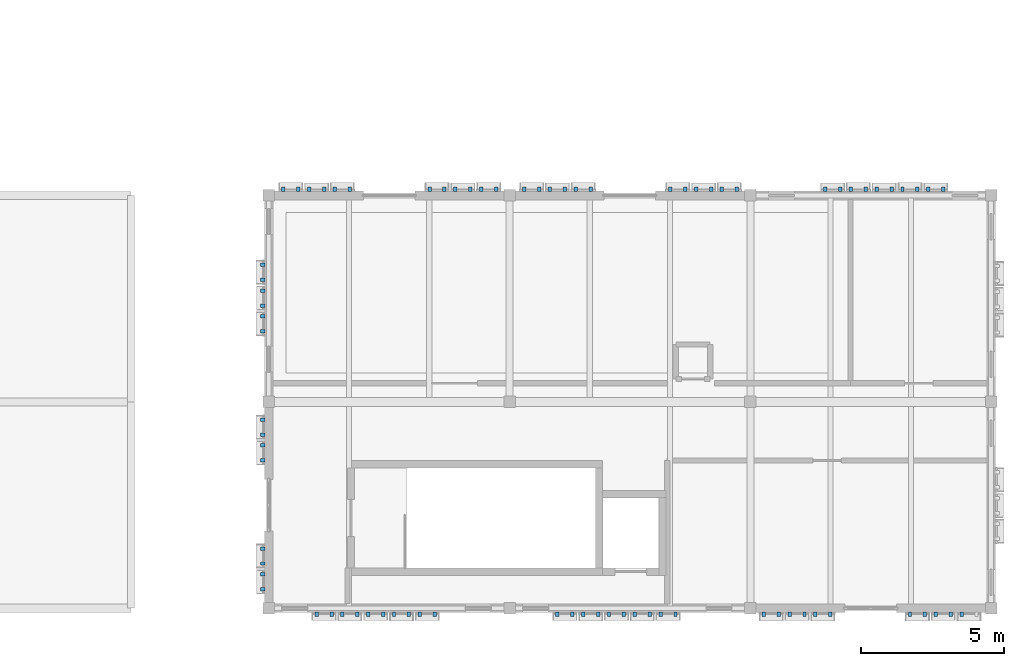
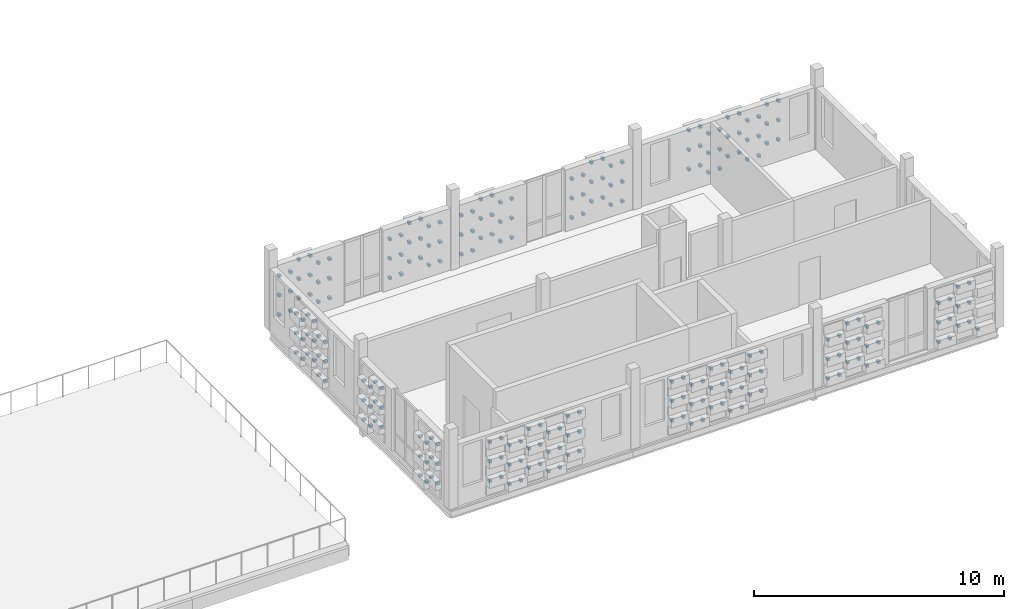
# One storey, part 50 of 57: 235 discrete accessories.
"""IFC4 building model written with IfcOpenShell, lengths in metres."""

from ifc_helpers import new_model, si_unit, direction, frame, origin, origin_2d, place, context, subcontext, project, spatial, rectangle, extrude, material, type_object, element, save


model = new_model("IFC4")

# Units and contexts
model_context = context("Model", 3, precision=1e-05, world=origin(), true_north=direction((0.0, 1.0)))
body_context = subcontext(model_context, "Body", "Model", "MODEL_VIEW")
ifc_project = project(units=[si_unit("LENGTHUNIT", "METRE"), si_unit("AREAUNIT", "SQUARE_METRE"), si_unit("VOLUMEUNIT", "CUBIC_METRE"), si_unit("PLANEANGLEUNIT", "RADIAN"), si_unit("MASSUNIT", "GRAM", prefix="KILO")], contexts=[model_context])

# Site, building, storey
site_placement = place(None, origin())
site = spatial("IfcSite", under=ifc_project, at=site_placement, CompositionType="ELEMENT")
building_placement = place(site_placement, origin())
building = spatial("IfcBuilding", under=site, at=building_placement, Name="Kahlenmark Community Centre", CompositionType="ELEMENT")
storey_placement = place(building_placement, frame((0.0, 0.0, 13.800048828125)))
storey = spatial("IfcBuildingStorey", under=building, at=storey_placement, Name="L03", CompositionType="ELEMENT", Elevation=13.800048828125)

# Discrete accessories
ifc_material = material(Name="Stainless steel 1.4401 rainscreen bracket", Category="steel")
discrete_accessory_type = type_object("IfcDiscreteAccessoryType", Name="DAT-BRACKET-TC", PredefinedType="BRACKET", material=ifc_material)
for number, where, z_axis, x_axis, name in (
    (1, (93.27001953125, 8.590087890625, 0.732421875), (0.0, 0.0, 1.0), (1.0, 0.0, 0.0), "Terracotta cassette bracket 4197.1"),
    (2, (93.7900390625, 8.590087890625, 0.732421875), (0.0, 0.0, 1.0), (1.0, 0.0, 0.0), "Terracotta cassette bracket 4197.2"),
    (3, (93.27001953125, 8.590087890625, 1.682373046875), (0.0, 0.0, 1.0), (1.0, 0.0, 0.0), "Terracotta cassette bracket 4199.1"),
    (4, (93.7900390625, 8.590087890625, 1.682373046875), (0.0, 0.0, 1.0), (1.0, 0.0, 0.0), "Terracotta cassette bracket 4199.2"),
    (5, (93.27001953125, 8.590087890625, 2.63232421875), (0.0, 0.0, 1.0), (1.0, 0.0, 0.0), "Terracotta cassette bracket 4201.1"),
    (6, (93.7900390625, 8.590087890625, 2.63232421875), (0.0, 0.0, 1.0), (1.0, 0.0, 0.0), "Terracotta cassette bracket 4201.2"),
    (7, (94.169921875, 8.590087890625, 0.25732421875), (0.0, 0.0, 1.0), (1.0, 0.0, 0.0), "Terracotta cassette bracket 4202.1"),
    (8, (94.68994140625, 8.590087890625, 0.25732421875), (0.0, 0.0, 1.0), (1.0, 0.0, 0.0), "Terracotta cassette bracket 4202.2"),
    (9, (94.169921875, 8.590087890625, 1.207275390625), (0.0, 0.0, 1.0), (1.0, 0.0, 0.0), "Terracotta cassette bracket 4204.1"),
    (10, (94.68994140625, 8.590087890625, 1.207275390625), (0.0, 0.0, 1.0), (1.0, 0.0, 0.0), "Terracotta cassette bracket 4204.2"),
    (11, (94.169921875, 8.590087890625, 2.157470703125), (0.0, 0.0, 1.0), (1.0, 0.0, 0.0), "Terracotta cassette bracket 4206.1"),
    (12, (94.68994140625, 8.590087890625, 2.157470703125), (0.0, 0.0, 1.0), (1.0, 0.0, 0.0), "Terracotta cassette bracket 4206.2"),
    (13, (95.070068359375, 8.590087890625, 0.732421875), (0.0, 0.0, 1.0), (1.0, 0.0, 0.0), "Terracotta cassette bracket 4209.1"),
    (14, (95.590087890625, 8.590087890625, 0.732421875), (0.0, 0.0, 1.0), (1.0, 0.0, 0.0), "Terracotta cassette bracket 4209.2"),
    (15, (95.070068359375, 8.590087890625, 1.682373046875), (0.0, 0.0, 1.0), (1.0, 0.0, 0.0), "Terracotta cassette bracket 4211.1"),
    (16, (95.590087890625, 8.590087890625, 1.682373046875), (0.0, 0.0, 1.0), (1.0, 0.0, 0.0), "Terracotta cassette bracket 4211.2"),
    (17, (95.070068359375, 8.590087890625, 2.63232421875), (0.0, 0.0, 1.0), (1.0, 0.0, 0.0), "Terracotta cassette bracket 4213.1"),
    (18, (95.590087890625, 8.590087890625, 2.63232421875), (0.0, 0.0, 1.0), (1.0, 0.0, 0.0), "Terracotta cassette bracket 4213.2"),
    (19, (95.969970703125, 8.590087890625, 0.25732421875), (0.0, 0.0, 1.0), (1.0, 0.0, 0.0), "Terracotta cassette bracket 4214.1"),
    (20, (96.489990234375, 8.590087890625, 0.25732421875), (0.0, 0.0, 1.0), (1.0, 0.0, 0.0), "Terracotta cassette bracket 4214.2"),
    (21, (95.969970703125, 8.590087890625, 1.207275390625), (0.0, 0.0, 1.0), (1.0, 0.0, 0.0), "Terracotta cassette bracket 4216.1"),
    (22, (96.489990234375, 8.590087890625, 1.207275390625), (0.0, 0.0, 1.0), (1.0, 0.0, 0.0), "Terracotta cassette bracket 4216.2"),
    (23, (95.969970703125, 8.590087890625, 2.157470703125), (0.0, 0.0, 1.0), (1.0, 0.0, 0.0), "Terracotta cassette bracket 4218.1"),
    (24, (96.489990234375, 8.590087890625, 2.157470703125), (0.0, 0.0, 1.0), (1.0, 0.0, 0.0), "Terracotta cassette bracket 4218.2"),
    (25, (96.8701171875, 8.590087890625, 0.732421875), (0.0, 0.0, 1.0), (1.0, 0.0, 0.0), "Terracotta cassette bracket 4221.1"),
    (26, (97.389892578125, 8.590087890625, 0.732421875), (0.0, 0.0, 1.0), (1.0, 0.0, 0.0), "Terracotta cassette bracket 4221.2"),
    (27, (96.8701171875, 8.590087890625, 1.682373046875), (0.0, 0.0, 1.0), (1.0, 0.0, 0.0), "Terracotta cassette bracket 4223.1"),
    (28, (97.389892578125, 8.590087890625, 1.682373046875), (0.0, 0.0, 1.0), (1.0, 0.0, 0.0), "Terracotta cassette bracket 4223.2"),
    (29, (96.8701171875, 8.590087890625, 2.63232421875), (0.0, 0.0, 1.0), (1.0, 0.0, 0.0), "Terracotta cassette bracket 4225.1"),
    (30, (97.389892578125, 8.590087890625, 2.63232421875), (0.0, 0.0, 1.0), (1.0, 0.0, 0.0), "Terracotta cassette bracket 4225.2"),
    (31, (101.669921875, 8.590087890625, 0.732421875), (0.0, 0.0, 1.0), (1.0, 0.0, 0.0), "Terracotta cassette bracket 4227.1"),
    (32, (102.18994140625, 8.590087890625, 0.732421875), (0.0, 0.0, 1.0), (1.0, 0.0, 0.0), "Terracotta cassette bracket 4227.2"),
    (33, (101.669921875, 8.590087890625, 1.682373046875), (0.0, 0.0, 1.0), (1.0, 0.0, 0.0), "Terracotta cassette bracket 4229.1"),
    (34, (102.18994140625, 8.590087890625, 1.682373046875), (0.0, 0.0, 1.0), (1.0, 0.0, 0.0), "Terracotta cassette bracket 4229.2"),
    (35, (101.669921875, 8.590087890625, 2.63232421875), (0.0, 0.0, 1.0), (1.0, 0.0, 0.0), "Terracotta cassette bracket 4231.1"),
    (36, (102.18994140625, 8.590087890625, 2.63232421875), (0.0, 0.0, 1.0), (1.0, 0.0, 0.0), "Terracotta cassette bracket 4231.2"),
    (37, (102.570068359375, 8.590087890625, 0.25732421875), (0.0, 0.0, 1.0), (1.0, 0.0, 0.0), "Terracotta cassette bracket 4232.1"),
    (38, (103.090087890625, 8.590087890625, 0.25732421875), (0.0, 0.0, 1.0), (1.0, 0.0, 0.0), "Terracotta cassette bracket 4232.2"),
    (39, (102.570068359375, 8.590087890625, 1.207275390625), (0.0, 0.0, 1.0), (1.0, 0.0, 0.0), "Terracotta cassette bracket 4234.1"),
    (40, (103.090087890625, 8.590087890625, 1.207275390625), (0.0, 0.0, 1.0), (1.0, 0.0, 0.0), "Terracotta cassette bracket 4234.2"),
    (41, (102.570068359375, 8.590087890625, 2.157470703125), (0.0, 0.0, 1.0), (1.0, 0.0, 0.0), "Terracotta cassette bracket 4236.1"),
    (42, (103.090087890625, 8.590087890625, 2.157470703125), (0.0, 0.0, 1.0), (1.0, 0.0, 0.0), "Terracotta cassette bracket 4236.2"),
    (43, (103.469970703125, 8.590087890625, 0.732421875), (0.0, 0.0, 1.0), (1.0, 0.0, 0.0), "Terracotta cassette bracket 4239.1"),
    (44, (103.989990234375, 8.590087890625, 0.732421875), (0.0, 0.0, 1.0), (1.0, 0.0, 0.0), "Terracotta cassette bracket 4239.2"),
    (45, (103.469970703125, 8.590087890625, 1.682373046875), (0.0, 0.0, 1.0), (1.0, 0.0, 0.0), "Terracotta cassette bracket 4241.1"),
    (46, (103.989990234375, 8.590087890625, 1.682373046875), (0.0, 0.0, 1.0), (1.0, 0.0, 0.0), "Terracotta cassette bracket 4241.2"),
    (47, (103.469970703125, 8.590087890625, 2.63232421875), (0.0, 0.0, 1.0), (1.0, 0.0, 0.0), "Terracotta cassette bracket 4243.1"),
    (48, (103.989990234375, 8.590087890625, 2.63232421875), (0.0, 0.0, 1.0), (1.0, 0.0, 0.0), "Terracotta cassette bracket 4243.2"),
    (49, (104.3701171875, 8.590087890625, 0.25732421875), (0.0, 0.0, 1.0), (1.0, 0.0, 0.0), "Terracotta cassette bracket 4244.1"),
    (50, (104.889892578125, 8.590087890625, 0.25732421875), (0.0, 0.0, 1.0), (1.0, 0.0, 0.0), "Terracotta cassette bracket 4244.2"),
    (51, (104.3701171875, 8.590087890625, 1.207275390625), (0.0, 0.0, 1.0), (1.0, 0.0, 0.0), "Terracotta cassette bracket 4246.1"),
    (52, (104.889892578125, 8.590087890625, 1.207275390625), (0.0, 0.0, 1.0), (1.0, 0.0, 0.0), "Terracotta cassette bracket 4246.2"),
    (53, (104.3701171875, 8.590087890625, 2.157470703125), (0.0, 0.0, 1.0), (1.0, 0.0, 0.0), "Terracotta cassette bracket 4248.1"),
    (54, (104.889892578125, 8.590087890625, 2.157470703125), (0.0, 0.0, 1.0), (1.0, 0.0, 0.0), "Terracotta cassette bracket 4248.2"),
    (55, (105.27001953125, 8.590087890625, 0.732421875), (0.0, 0.0, 1.0), (1.0, 0.0, 0.0), "Terracotta cassette bracket 4251.1"),
    (56, (105.7900390625, 8.590087890625, 0.732421875), (0.0, 0.0, 1.0), (1.0, 0.0, 0.0), "Terracotta cassette bracket 4251.2"),
    (57, (105.27001953125, 8.590087890625, 1.682373046875), (0.0, 0.0, 1.0), (1.0, 0.0, 0.0), "Terracotta cassette bracket 4253.1"),
    (58, (105.7900390625, 8.590087890625, 1.682373046875), (0.0, 0.0, 1.0), (1.0, 0.0, 0.0), "Terracotta cassette bracket 4253.2"),
    (59, (105.27001953125, 8.590087890625, 2.63232421875), (0.0, 0.0, 1.0), (1.0, 0.0, 0.0), "Terracotta cassette bracket 4255.1"),
    (60, (105.7900390625, 8.590087890625, 2.63232421875), (0.0, 0.0, 1.0), (1.0, 0.0, 0.0), "Terracotta cassette bracket 4255.2"),
    (61, (108.8701171875, 8.590087890625, 0.25732421875), (0.0, 0.0, 1.0), (1.0, 0.0, 0.0), "Terracotta cassette bracket 4256.1"),
    (62, (109.389892578125, 8.590087890625, 0.25732421875), (0.0, 0.0, 1.0), (1.0, 0.0, 0.0), "Terracotta cassette bracket 4256.2"),
    (63, (108.8701171875, 8.590087890625, 1.207275390625), (0.0, 0.0, 1.0), (1.0, 0.0, 0.0), "Terracotta cassette bracket 4258.1"),
    (64, (109.389892578125, 8.590087890625, 1.207275390625), (0.0, 0.0, 1.0), (1.0, 0.0, 0.0), "Terracotta cassette bracket 4258.2"),
    (65, (108.8701171875, 8.590087890625, 2.157470703125), (0.0, 0.0, 1.0), (1.0, 0.0, 0.0), "Terracotta cassette bracket 4260.1"),
    (66, (109.389892578125, 8.590087890625, 2.157470703125), (0.0, 0.0, 1.0), (1.0, 0.0, 0.0), "Terracotta cassette bracket 4260.2"),
    (67, (109.77001953125, 8.590087890625, 0.732421875), (0.0, 0.0, 1.0), (1.0, 0.0, 0.0), "Terracotta cassette bracket 4263.1"),
    (68, (110.2900390625, 8.590087890625, 0.732421875), (0.0, 0.0, 1.0), (1.0, 0.0, 0.0), "Terracotta cassette bracket 4263.2"),
    (69, (109.77001953125, 8.590087890625, 1.682373046875), (0.0, 0.0, 1.0), (1.0, 0.0, 0.0), "Terracotta cassette bracket 4265.1"),
    (70, (110.2900390625, 8.590087890625, 1.682373046875), (0.0, 0.0, 1.0), (1.0, 0.0, 0.0), "Terracotta cassette bracket 4265.2"),
    (71, (109.77001953125, 8.590087890625, 2.63232421875), (0.0, 0.0, 1.0), (1.0, 0.0, 0.0), "Terracotta cassette bracket 4267.1"),
    (72, (110.2900390625, 8.590087890625, 2.63232421875), (0.0, 0.0, 1.0), (1.0, 0.0, 0.0), "Terracotta cassette bracket 4267.2"),
    (73, (110.669921875, 8.590087890625, 0.25732421875), (0.0, 0.0, 1.0), (1.0, 0.0, 0.0), "Terracotta cassette bracket 4268.1"),
    (74, (111.18994140625, 8.590087890625, 0.25732421875), (0.0, 0.0, 1.0), (1.0, 0.0, 0.0), "Terracotta cassette bracket 4268.2"),
    (75, (110.669921875, 8.590087890625, 1.207275390625), (0.0, 0.0, 1.0), (1.0, 0.0, 0.0), "Terracotta cassette bracket 4270.1"),
    (76, (111.18994140625, 8.590087890625, 1.207275390625), (0.0, 0.0, 1.0), (1.0, 0.0, 0.0), "Terracotta cassette bracket 4270.2"),
    (77, (110.669921875, 8.590087890625, 2.157470703125), (0.0, 0.0, 1.0), (1.0, 0.0, 0.0), "Terracotta cassette bracket 4272.1"),
    (78, (111.18994140625, 8.590087890625, 2.157470703125), (0.0, 0.0, 1.0), (1.0, 0.0, 0.0), "Terracotta cassette bracket 4272.2"),
    (79, (113.969970703125, 8.590087890625, 0.25732421875), (0.0, 0.0, 1.0), (1.0, 0.0, 0.0), "Terracotta cassette bracket 4274.1"),
    (80, (114.489990234375, 8.590087890625, 0.25732421875), (0.0, 0.0, 1.0), (1.0, 0.0, 0.0), "Terracotta cassette bracket 4274.2"),
    (81, (113.969970703125, 8.590087890625, 1.207275390625), (0.0, 0.0, 1.0), (1.0, 0.0, 0.0), "Terracotta cassette bracket 4276.1"),
    (82, (114.489990234375, 8.590087890625, 1.207275390625), (0.0, 0.0, 1.0), (1.0, 0.0, 0.0), "Terracotta cassette bracket 4276.2"),
    (83, (113.969970703125, 8.590087890625, 2.157470703125), (0.0, 0.0, 1.0), (1.0, 0.0, 0.0), "Terracotta cassette bracket 4278.1"),
    (84, (114.489990234375, 8.590087890625, 2.157470703125), (0.0, 0.0, 1.0), (1.0, 0.0, 0.0), "Terracotta cassette bracket 4278.2"),
    (85, (114.8701171875, 8.590087890625, 0.732421875), (0.0, 0.0, 1.0), (1.0, 0.0, 0.0), "Terracotta cassette bracket 4281.1"),
    (86, (115.389892578125, 8.590087890625, 0.732421875), (0.0, 0.0, 1.0), (1.0, 0.0, 0.0), "Terracotta cassette bracket 4281.2"),
    (87, (114.8701171875, 8.590087890625, 1.682373046875), (0.0, 0.0, 1.0), (1.0, 0.0, 0.0), "Terracotta cassette bracket 4283.1"),
    (88, (115.389892578125, 8.590087890625, 1.682373046875), (0.0, 0.0, 1.0), (1.0, 0.0, 0.0), "Terracotta cassette bracket 4283.2"),
    (89, (114.8701171875, 8.590087890625, 2.63232421875), (0.0, 0.0, 1.0), (1.0, 0.0, 0.0), "Terracotta cassette bracket 4285.1"),
    (90, (115.389892578125, 8.590087890625, 2.63232421875), (0.0, 0.0, 1.0), (1.0, 0.0, 0.0), "Terracotta cassette bracket 4285.2"),
    (91, (115.77001953125, 8.590087890625, 0.25732421875), (0.0, 0.0, 1.0), (1.0, 0.0, 0.0), "Terracotta cassette bracket 4286.1"),
    (92, (99.530029296875, 23.409912109375, 0.25732421875), (0.0, 0.0, 1.0), (-1.0, 0.0, 0.0), "Terracotta cassette bracket 4292.1"),
    (93, (99.010009765625, 23.409912109375, 0.25732421875), (0.0, 0.0, 1.0), (-1.0, 0.0, 0.0), "Terracotta cassette bracket 4292.2"),
    (94, (99.530029296875, 23.409912109375, 1.207275390625), (0.0, 0.0, 1.0), (-1.0, 0.0, 0.0), "Terracotta cassette bracket 4294.1"),
    (95, (99.010009765625, 23.409912109375, 1.207275390625), (0.0, 0.0, 1.0), (-1.0, 0.0, 0.0), "Terracotta cassette bracket 4294.2"),
    (96, (99.530029296875, 23.409912109375, 2.157470703125), (0.0, 0.0, 1.0), (-1.0, 0.0, 0.0), "Terracotta cassette bracket 4296.1"),
    (97, (99.010009765625, 23.409912109375, 2.157470703125), (0.0, 0.0, 1.0), (-1.0, 0.0, 0.0), "Terracotta cassette bracket 4296.2"),
    (98, (98.6298828125, 23.409912109375, 0.732421875), (0.0, 0.0, 1.0), (-1.0, 0.0, 0.0), "Terracotta cassette bracket 4299.1"),
    (99, (98.110107421875, 23.409912109375, 0.732421875), (0.0, 0.0, 1.0), (-1.0, 0.0, 0.0), "Terracotta cassette bracket 4299.2"),
    (100, (98.6298828125, 23.409912109375, 1.682373046875), (0.0, 0.0, 1.0), (-1.0, 0.0, 0.0), "Terracotta cassette bracket 4301.1"),
    (101, (98.110107421875, 23.409912109375, 1.682373046875), (0.0, 0.0, 1.0), (-1.0, 0.0, 0.0), "Terracotta cassette bracket 4301.2"),
    (102, (98.6298828125, 23.409912109375, 2.63232421875), (0.0, 0.0, 1.0), (-1.0, 0.0, 0.0), "Terracotta cassette bracket 4303.1"),
    (103, (98.110107421875, 23.409912109375, 2.63232421875), (0.0, 0.0, 1.0), (-1.0, 0.0, 0.0), "Terracotta cassette bracket 4303.2"),
    (104, (97.72998046875, 23.409912109375, 0.25732421875), (0.0, 0.0, 1.0), (-1.0, 0.0, 0.0), "Terracotta cassette bracket 4304.1"),
    (105, (97.2099609375, 23.409912109375, 0.25732421875), (0.0, 0.0, 1.0), (-1.0, 0.0, 0.0), "Terracotta cassette bracket 4304.2"),
    (106, (97.72998046875, 23.409912109375, 1.207275390625), (0.0, 0.0, 1.0), (-1.0, 0.0, 0.0), "Terracotta cassette bracket 4306.1"),
    (107, (97.2099609375, 23.409912109375, 1.207275390625), (0.0, 0.0, 1.0), (-1.0, 0.0, 0.0), "Terracotta cassette bracket 4306.2"),
    (108, (97.72998046875, 23.409912109375, 2.157470703125), (0.0, 0.0, 1.0), (-1.0, 0.0, 0.0), "Terracotta cassette bracket 4308.1"),
    (109, (97.2099609375, 23.409912109375, 2.157470703125), (0.0, 0.0, 1.0), (-1.0, 0.0, 0.0), "Terracotta cassette bracket 4308.2"),
    (110, (94.429931640625, 23.409912109375, 0.25732421875), (0.0, 0.0, 1.0), (-1.0, 0.0, 0.0), "Terracotta cassette bracket 4310.1"),
    (111, (93.909912109375, 23.409912109375, 0.25732421875), (0.0, 0.0, 1.0), (-1.0, 0.0, 0.0), "Terracotta cassette bracket 4310.2"),
    (112, (94.429931640625, 23.409912109375, 1.207275390625), (0.0, 0.0, 1.0), (-1.0, 0.0, 0.0), "Terracotta cassette bracket 4312.1"),
    (113, (93.909912109375, 23.409912109375, 1.207275390625), (0.0, 0.0, 1.0), (-1.0, 0.0, 0.0), "Terracotta cassette bracket 4312.2"),
    (114, (94.429931640625, 23.409912109375, 2.157470703125), (0.0, 0.0, 1.0), (-1.0, 0.0, 0.0), "Terracotta cassette bracket 4314.1"),
    (115, (93.909912109375, 23.409912109375, 2.157470703125), (0.0, 0.0, 1.0), (-1.0, 0.0, 0.0), "Terracotta cassette bracket 4314.2"),
    (116, (93.530029296875, 23.409912109375, 0.732421875), (0.0, 0.0, 1.0), (-1.0, 0.0, 0.0), "Terracotta cassette bracket 4317.1"),
    (117, (93.010009765625, 23.409912109375, 0.732421875), (0.0, 0.0, 1.0), (-1.0, 0.0, 0.0), "Terracotta cassette bracket 4317.2"),
    (118, (93.530029296875, 23.409912109375, 1.682373046875), (0.0, 0.0, 1.0), (-1.0, 0.0, 0.0), "Terracotta cassette bracket 4319.1"),
    (119, (93.010009765625, 23.409912109375, 1.682373046875), (0.0, 0.0, 1.0), (-1.0, 0.0, 0.0), "Terracotta cassette bracket 4319.2"),
    (120, (93.530029296875, 23.409912109375, 2.63232421875), (0.0, 0.0, 1.0), (-1.0, 0.0, 0.0), "Terracotta cassette bracket 4321.1"),
    (121, (93.010009765625, 23.409912109375, 2.63232421875), (0.0, 0.0, 1.0), (-1.0, 0.0, 0.0), "Terracotta cassette bracket 4321.2"),
    (122, (92.6298828125, 23.409912109375, 0.25732421875), (0.0, 0.0, 1.0), (-1.0, 0.0, 0.0), "Terracotta cassette bracket 4322.1"),
    (123, (92.110107421875, 23.409912109375, 0.25732421875), (0.0, 0.0, 1.0), (-1.0, 0.0, 0.0), "Terracotta cassette bracket 4322.2"),
    (124, (92.6298828125, 23.409912109375, 1.207275390625), (0.0, 0.0, 1.0), (-1.0, 0.0, 0.0), "Terracotta cassette bracket 4324.1"),
    (125, (92.110107421875, 23.409912109375, 1.207275390625), (0.0, 0.0, 1.0), (-1.0, 0.0, 0.0), "Terracotta cassette bracket 4324.2"),
    (126, (92.6298828125, 23.409912109375, 2.157470703125), (0.0, 0.0, 1.0), (-1.0, 0.0, 0.0), "Terracotta cassette bracket 4326.1"),
    (127, (92.110107421875, 23.409912109375, 2.157470703125), (0.0, 0.0, 1.0), (-1.0, 0.0, 0.0), "Terracotta cassette bracket 4326.2"),
    (128, (107.929931640625, 23.409912109375, 0.25732421875), (0.0, 0.0, 1.0), (-1.0, 0.0, 0.0), "Terracotta cassette bracket 4328.1"),
    (129, (107.409912109375, 23.409912109375, 0.25732421875), (0.0, 0.0, 1.0), (-1.0, 0.0, 0.0), "Terracotta cassette bracket 4328.2"),
    (130, (107.929931640625, 23.409912109375, 1.207275390625), (0.0, 0.0, 1.0), (-1.0, 0.0, 0.0), "Terracotta cassette bracket 4330.1"),
    (131, (107.409912109375, 23.409912109375, 1.207275390625), (0.0, 0.0, 1.0), (-1.0, 0.0, 0.0), "Terracotta cassette bracket 4330.2"),
    (132, (107.929931640625, 23.409912109375, 2.157470703125), (0.0, 0.0, 1.0), (-1.0, 0.0, 0.0), "Terracotta cassette bracket 4332.1"),
    (133, (107.409912109375, 23.409912109375, 2.157470703125), (0.0, 0.0, 1.0), (-1.0, 0.0, 0.0), "Terracotta cassette bracket 4332.2"),
    (134, (107.030029296875, 23.409912109375, 0.732421875), (0.0, 0.0, 1.0), (-1.0, 0.0, 0.0), "Terracotta cassette bracket 4335.1"),
    (135, (106.510009765625, 23.409912109375, 0.732421875), (0.0, 0.0, 1.0), (-1.0, 0.0, 0.0), "Terracotta cassette bracket 4335.2"),
    (136, (107.030029296875, 23.409912109375, 1.682373046875), (0.0, 0.0, 1.0), (-1.0, 0.0, 0.0), "Terracotta cassette bracket 4337.1"),
    (137, (106.510009765625, 23.409912109375, 1.682373046875), (0.0, 0.0, 1.0), (-1.0, 0.0, 0.0), "Terracotta cassette bracket 4337.2"),
    (138, (107.030029296875, 23.409912109375, 2.63232421875), (0.0, 0.0, 1.0), (-1.0, 0.0, 0.0), "Terracotta cassette bracket 4339.1"),
    (139, (106.510009765625, 23.409912109375, 2.63232421875), (0.0, 0.0, 1.0), (-1.0, 0.0, 0.0), "Terracotta cassette bracket 4339.2"),
    (140, (106.1298828125, 23.409912109375, 0.25732421875), (0.0, 0.0, 1.0), (-1.0, 0.0, 0.0), "Terracotta cassette bracket 4340.1"),
    (141, (105.610107421875, 23.409912109375, 0.25732421875), (0.0, 0.0, 1.0), (-1.0, 0.0, 0.0), "Terracotta cassette bracket 4340.2"),
    (142, (106.1298828125, 23.409912109375, 1.207275390625), (0.0, 0.0, 1.0), (-1.0, 0.0, 0.0), "Terracotta cassette bracket 4342.1"),
    (143, (105.610107421875, 23.409912109375, 1.207275390625), (0.0, 0.0, 1.0), (-1.0, 0.0, 0.0), "Terracotta cassette bracket 4342.2"),
    (144, (106.1298828125, 23.409912109375, 2.157470703125), (0.0, 0.0, 1.0), (-1.0, 0.0, 0.0), "Terracotta cassette bracket 4344.1"),
    (145, (105.610107421875, 23.409912109375, 2.157470703125), (0.0, 0.0, 1.0), (-1.0, 0.0, 0.0), "Terracotta cassette bracket 4344.2"),
    (146, (102.830078125, 23.409912109375, 0.25732421875), (0.0, 0.0, 1.0), (-1.0, 0.0, 0.0), "Terracotta cassette bracket 4346.1"),
    (147, (102.31005859375, 23.409912109375, 0.25732421875), (0.0, 0.0, 1.0), (-1.0, 0.0, 0.0), "Terracotta cassette bracket 4346.2"),
    (148, (102.830078125, 23.409912109375, 1.207275390625), (0.0, 0.0, 1.0), (-1.0, 0.0, 0.0), "Terracotta cassette bracket 4348.1"),
    (149, (102.31005859375, 23.409912109375, 1.207275390625), (0.0, 0.0, 1.0), (-1.0, 0.0, 0.0), "Terracotta cassette bracket 4348.2"),
    (150, (102.830078125, 23.409912109375, 2.157470703125), (0.0, 0.0, 1.0), (-1.0, 0.0, 0.0), "Terracotta cassette bracket 4350.1"),
    (151, (102.31005859375, 23.409912109375, 2.157470703125), (0.0, 0.0, 1.0), (-1.0, 0.0, 0.0), "Terracotta cassette bracket 4350.2"),
    (152, (101.929931640625, 23.409912109375, 0.732421875), (0.0, 0.0, 1.0), (-1.0, 0.0, 0.0), "Terracotta cassette bracket 4353.1"),
    (153, (101.409912109375, 23.409912109375, 0.732421875), (0.0, 0.0, 1.0), (-1.0, 0.0, 0.0), "Terracotta cassette bracket 4353.2"),
    (154, (101.929931640625, 23.409912109375, 1.682373046875), (0.0, 0.0, 1.0), (-1.0, 0.0, 0.0), "Terracotta cassette bracket 4355.1"),
    (155, (101.409912109375, 23.409912109375, 1.682373046875), (0.0, 0.0, 1.0), (-1.0, 0.0, 0.0), "Terracotta cassette bracket 4355.2"),
    (156, (101.929931640625, 23.409912109375, 2.63232421875), (0.0, 0.0, 1.0), (-1.0, 0.0, 0.0), "Terracotta cassette bracket 4357.1"),
    (157, (101.409912109375, 23.409912109375, 2.63232421875), (0.0, 0.0, 1.0), (-1.0, 0.0, 0.0), "Terracotta cassette bracket 4357.2"),
    (158, (101.030029296875, 23.409912109375, 0.25732421875), (0.0, 0.0, 1.0), (-1.0, 0.0, 0.0), "Terracotta cassette bracket 4358.1"),
    (159, (100.510009765625, 23.409912109375, 0.25732421875), (0.0, 0.0, 1.0), (-1.0, 0.0, 0.0), "Terracotta cassette bracket 4358.2"),
    (160, (101.030029296875, 23.409912109375, 1.207275390625), (0.0, 0.0, 1.0), (-1.0, 0.0, 0.0), "Terracotta cassette bracket 4360.1"),
    (161, (100.510009765625, 23.409912109375, 1.207275390625), (0.0, 0.0, 1.0), (-1.0, 0.0, 0.0), "Terracotta cassette bracket 4360.2"),
    (162, (101.030029296875, 23.409912109375, 2.157470703125), (0.0, 0.0, 1.0), (-1.0, 0.0, 0.0), "Terracotta cassette bracket 4362.1"),
    (163, (100.510009765625, 23.409912109375, 2.157470703125), (0.0, 0.0, 1.0), (-1.0, 0.0, 0.0), "Terracotta cassette bracket 4362.2"),
    (164, (115.1298828125, 23.409912109375, 0.732421875), (0.0, 0.0, 1.0), (-1.0, 0.0, 0.0), "Terracotta cassette bracket 4365.1"),
    (165, (114.610107421875, 23.409912109375, 0.732421875), (0.0, 0.0, 1.0), (-1.0, 0.0, 0.0), "Terracotta cassette bracket 4365.2"),
    (166, (115.1298828125, 23.409912109375, 1.682373046875), (0.0, 0.0, 1.0), (-1.0, 0.0, 0.0), "Terracotta cassette bracket 4367.1"),
    (167, (114.610107421875, 23.409912109375, 1.682373046875), (0.0, 0.0, 1.0), (-1.0, 0.0, 0.0), "Terracotta cassette bracket 4367.2"),
    (168, (115.1298828125, 23.409912109375, 2.63232421875), (0.0, 0.0, 1.0), (-1.0, 0.0, 0.0), "Terracotta cassette bracket 4369.1"),
    (169, (114.610107421875, 23.409912109375, 2.63232421875), (0.0, 0.0, 1.0), (-1.0, 0.0, 0.0), "Terracotta cassette bracket 4369.2"),
    (170, (114.22998046875, 23.409912109375, 0.25732421875), (0.0, 0.0, 1.0), (-1.0, 0.0, 0.0), "Terracotta cassette bracket 4370.1"),
    (171, (113.7099609375, 23.409912109375, 0.25732421875), (0.0, 0.0, 1.0), (-1.0, 0.0, 0.0), "Terracotta cassette bracket 4370.2"),
    (172, (114.22998046875, 23.409912109375, 1.207275390625), (0.0, 0.0, 1.0), (-1.0, 0.0, 0.0), "Terracotta cassette bracket 4372.1"),
    (173, (113.7099609375, 23.409912109375, 1.207275390625), (0.0, 0.0, 1.0), (-1.0, 0.0, 0.0), "Terracotta cassette bracket 4372.2"),
    (174, (114.22998046875, 23.409912109375, 2.157470703125), (0.0, 0.0, 1.0), (-1.0, 0.0, 0.0), "Terracotta cassette bracket 4374.1"),
    (175, (113.7099609375, 23.409912109375, 2.157470703125), (0.0, 0.0, 1.0), (-1.0, 0.0, 0.0), "Terracotta cassette bracket 4374.2"),
    (176, (113.330078125, 23.409912109375, 0.732421875), (0.0, 0.0, 1.0), (-1.0, 0.0, 0.0), "Terracotta cassette bracket 4377.1"),
    (177, (112.81005859375, 23.409912109375, 0.732421875), (0.0, 0.0, 1.0), (-1.0, 0.0, 0.0), "Terracotta cassette bracket 4377.2"),
    (178, (113.330078125, 23.409912109375, 1.682373046875), (0.0, 0.0, 1.0), (-1.0, 0.0, 0.0), "Terracotta cassette bracket 4379.1"),
    (179, (112.81005859375, 23.409912109375, 1.682373046875), (0.0, 0.0, 1.0), (-1.0, 0.0, 0.0), "Terracotta cassette bracket 4379.2"),
    (180, (113.330078125, 23.409912109375, 2.63232421875), (0.0, 0.0, 1.0), (-1.0, 0.0, 0.0), "Terracotta cassette bracket 4381.1"),
    (181, (112.81005859375, 23.409912109375, 2.63232421875), (0.0, 0.0, 1.0), (-1.0, 0.0, 0.0), "Terracotta cassette bracket 4381.2"),
    (182, (112.429931640625, 23.409912109375, 0.25732421875), (0.0, 0.0, 1.0), (-1.0, 0.0, 0.0), "Terracotta cassette bracket 4382.1"),
    (183, (111.909912109375, 23.409912109375, 0.25732421875), (0.0, 0.0, 1.0), (-1.0, 0.0, 0.0), "Terracotta cassette bracket 4382.2"),
    (184, (112.429931640625, 23.409912109375, 1.207275390625), (0.0, 0.0, 1.0), (-1.0, 0.0, 0.0), "Terracotta cassette bracket 4384.1"),
    (185, (111.909912109375, 23.409912109375, 1.207275390625), (0.0, 0.0, 1.0), (-1.0, 0.0, 0.0), "Terracotta cassette bracket 4384.2"),
    (186, (112.429931640625, 23.409912109375, 2.157470703125), (0.0, 0.0, 1.0), (-1.0, 0.0, 0.0), "Terracotta cassette bracket 4386.1"),
    (187, (111.909912109375, 23.409912109375, 2.157470703125), (0.0, 0.0, 1.0), (-1.0, 0.0, 0.0), "Terracotta cassette bracket 4386.2"),
    (188, (111.530029296875, 23.409912109375, 0.732421875), (0.0, 0.0, 1.0), (-1.0, 0.0, 0.0), "Terracotta cassette bracket 4389.1"),
    (189, (111.010009765625, 23.409912109375, 0.732421875), (0.0, 0.0, 1.0), (-1.0, 0.0, 0.0), "Terracotta cassette bracket 4389.2"),
    (190, (111.530029296875, 23.409912109375, 1.682373046875), (0.0, 0.0, 1.0), (-1.0, 0.0, 0.0), "Terracotta cassette bracket 4391.1"),
    (191, (111.010009765625, 23.409912109375, 1.682373046875), (0.0, 0.0, 1.0), (-1.0, 0.0, 0.0), "Terracotta cassette bracket 4391.2"),
    (192, (111.530029296875, 23.409912109375, 2.63232421875), (0.0, 0.0, 1.0), (-1.0, 0.0, 0.0), "Terracotta cassette bracket 4393.1"),
    (193, (111.010009765625, 23.409912109375, 2.63232421875), (0.0, 0.0, 1.0), (-1.0, 0.0, 0.0), "Terracotta cassette bracket 4393.2"),
    (194, (91.389892578125, 15.3798828125, 0.25732421875), (0.0, 0.0, 1.0), (0.0, -1.0, 0.0), "Terracotta cassette bracket 4394.1"),
    (195, (91.389892578125, 14.860107421875, 0.25732421875), (0.0, 0.0, 1.0), (0.0, -1.0, 0.0), "Terracotta cassette bracket 4394.2"),
    (196, (91.389892578125, 15.3798828125, 1.207275390625), (0.0, 0.0, 1.0), (0.0, -1.0, 0.0), "Terracotta cassette bracket 4396.1"),
    (197, (91.389892578125, 14.860107421875, 1.207275390625), (0.0, 0.0, 1.0), (0.0, -1.0, 0.0), "Terracotta cassette bracket 4396.2"),
    (198, (91.389892578125, 15.3798828125, 2.157470703125), (0.0, 0.0, 1.0), (0.0, -1.0, 0.0), "Terracotta cassette bracket 4398.1"),
    (199, (91.389892578125, 14.860107421875, 2.157470703125), (0.0, 0.0, 1.0), (0.0, -1.0, 0.0), "Terracotta cassette bracket 4398.2"),
    (200, (91.389892578125, 14.47998046875, 0.732421875), (0.0, 0.0, 1.0), (0.0, -1.0, 0.0), "Terracotta cassette bracket 4401.1"),
    (201, (91.389892578125, 13.9599609375, 0.732421875), (0.0, 0.0, 1.0), (0.0, -1.0, 0.0), "Terracotta cassette bracket 4401.2"),
    (202, (91.389892578125, 14.47998046875, 1.682373046875), (0.0, 0.0, 1.0), (0.0, -1.0, 0.0), "Terracotta cassette bracket 4403.1"),
    (203, (91.389892578125, 13.9599609375, 1.682373046875), (0.0, 0.0, 1.0), (0.0, -1.0, 0.0), "Terracotta cassette bracket 4403.2"),
    (204, (91.389892578125, 14.47998046875, 2.63232421875), (0.0, 0.0, 1.0), (0.0, -1.0, 0.0), "Terracotta cassette bracket 4405.1"),
    (205, (91.389892578125, 13.9599609375, 2.63232421875), (0.0, 0.0, 1.0), (0.0, -1.0, 0.0), "Terracotta cassette bracket 4405.2"),
    (206, (91.389892578125, 10.8798828125, 0.25732421875), (0.0, 0.0, 1.0), (0.0, -1.0, 0.0), "Terracotta cassette bracket 4406.1"),
    (207, (91.389892578125, 10.360107421875, 0.25732421875), (0.0, 0.0, 1.0), (0.0, -1.0, 0.0), "Terracotta cassette bracket 4406.2"),
    (208, (91.389892578125, 10.8798828125, 1.207275390625), (0.0, 0.0, 1.0), (0.0, -1.0, 0.0), "Terracotta cassette bracket 4408.1"),
    (209, (91.389892578125, 10.360107421875, 1.207275390625), (0.0, 0.0, 1.0), (0.0, -1.0, 0.0), "Terracotta cassette bracket 4408.2"),
    (210, (91.389892578125, 10.8798828125, 2.157470703125), (0.0, 0.0, 1.0), (0.0, -1.0, 0.0), "Terracotta cassette bracket 4410.1"),
    (211, (91.389892578125, 10.360107421875, 2.157470703125), (0.0, 0.0, 1.0), (0.0, -1.0, 0.0), "Terracotta cassette bracket 4410.2"),
    (212, (91.389892578125, 9.97998046875, 0.732421875), (0.0, 0.0, 1.0), (0.0, -1.0, 0.0), "Terracotta cassette bracket 4413.1"),
    (213, (91.389892578125, 9.4599609375, 0.732421875), (0.0, 0.0, 1.0), (0.0, -1.0, 0.0), "Terracotta cassette bracket 4413.2"),
    (214, (91.389892578125, 9.97998046875, 1.682373046875), (0.0, 0.0, 1.0), (0.0, -1.0, 0.0), "Terracotta cassette bracket 4415.1"),
    (215, (91.389892578125, 9.4599609375, 1.682373046875), (0.0, 0.0, 1.0), (0.0, -1.0, 0.0), "Terracotta cassette bracket 4415.2"),
    (216, (91.389892578125, 9.97998046875, 2.63232421875), (0.0, 0.0, 1.0), (0.0, -1.0, 0.0), "Terracotta cassette bracket 4417.1"),
    (217, (91.389892578125, 9.4599609375, 2.63232421875), (0.0, 0.0, 1.0), (0.0, -1.0, 0.0), "Terracotta cassette bracket 4417.2"),
    (218, (91.389892578125, 20.780029296875, 0.25732421875), (0.0, 0.0, 1.0), (0.0, -1.0, 0.0), "Terracotta cassette bracket 4418.1"),
    (219, (91.389892578125, 20.260009765625, 0.25732421875), (0.0, 0.0, 1.0), (0.0, -1.0, 0.0), "Terracotta cassette bracket 4418.2"),
    (220, (91.389892578125, 20.780029296875, 1.207275390625), (0.0, 0.0, 1.0), (0.0, -1.0, 0.0), "Terracotta cassette bracket 4420.1"),
    (221, (91.389892578125, 20.260009765625, 1.207275390625), (0.0, 0.0, 1.0), (0.0, -1.0, 0.0), "Terracotta cassette bracket 4420.2"),
    (222, (91.389892578125, 20.780029296875, 2.157470703125), (0.0, 0.0, 1.0), (0.0, -1.0, 0.0), "Terracotta cassette bracket 4422.1"),
    (223, (91.389892578125, 20.260009765625, 2.157470703125), (0.0, 0.0, 1.0), (0.0, -1.0, 0.0), "Terracotta cassette bracket 4422.2"),
    (224, (91.389892578125, 19.8798828125, 0.732421875), (0.0, 0.0, 1.0), (0.0, -1.0, 0.0), "Terracotta cassette bracket 4425.1"),
    (225, (91.389892578125, 19.360107421875, 0.732421875), (0.0, 0.0, 1.0), (0.0, -1.0, 0.0), "Terracotta cassette bracket 4425.2"),
    (226, (91.389892578125, 19.8798828125, 1.682373046875), (0.0, 0.0, 1.0), (0.0, -1.0, 0.0), "Terracotta cassette bracket 4427.1"),
    (227, (91.389892578125, 19.360107421875, 1.682373046875), (0.0, 0.0, 1.0), (0.0, -1.0, 0.0), "Terracotta cassette bracket 4427.2"),
    (228, (91.389892578125, 19.8798828125, 2.63232421875), (0.0, 0.0, 1.0), (0.0, -1.0, 0.0), "Terracotta cassette bracket 4429.1"),
    (229, (91.389892578125, 19.360107421875, 2.63232421875), (0.0, 0.0, 1.0), (0.0, -1.0, 0.0), "Terracotta cassette bracket 4429.2"),
    (230, (91.389892578125, 18.97998046875, 0.25732421875), (0.0, 0.0, 1.0), (0.0, -1.0, 0.0), "Terracotta cassette bracket 4430.1"),
    (231, (91.389892578125, 18.4599609375, 0.25732421875), (0.0, 0.0, 1.0), (0.0, -1.0, 0.0), "Terracotta cassette bracket 4430.2"),
    (232, (91.389892578125, 18.97998046875, 1.207275390625), (0.0, 0.0, 1.0), (0.0, -1.0, 0.0), "Terracotta cassette bracket 4432.1"),
    (233, (91.389892578125, 18.4599609375, 1.207275390625), (0.0, 0.0, 1.0), (0.0, -1.0, 0.0), "Terracotta cassette bracket 4432.2"),
    (234, (91.389892578125, 18.97998046875, 2.157470703125), (0.0, 0.0, 1.0), (0.0, -1.0, 0.0), "Terracotta cassette bracket 4434.1"),
    (235, (91.389892578125, 18.4599609375, 2.157470703125), (0.0, 0.0, 1.0), (0.0, -1.0, 0.0), "Terracotta cassette bracket 4434.2"),
):
    element("IfcDiscreteAccessory", number, at=place(storey_placement, frame(where, z_axis=z_axis, x_axis=x_axis)), inside=storey, type_object=discrete_accessory_type, Name=name, PredefinedType="BRACKET", context=body_context, shape_type="SweptSolid", body=[
        extrude(rectangle(XDim=0.1201171875, YDim=0.159912109375, at=origin_2d()), origin(), (0.0, 0.0, 1.0), 0.1201171875),
    ])

save(model, "model.ifc")
